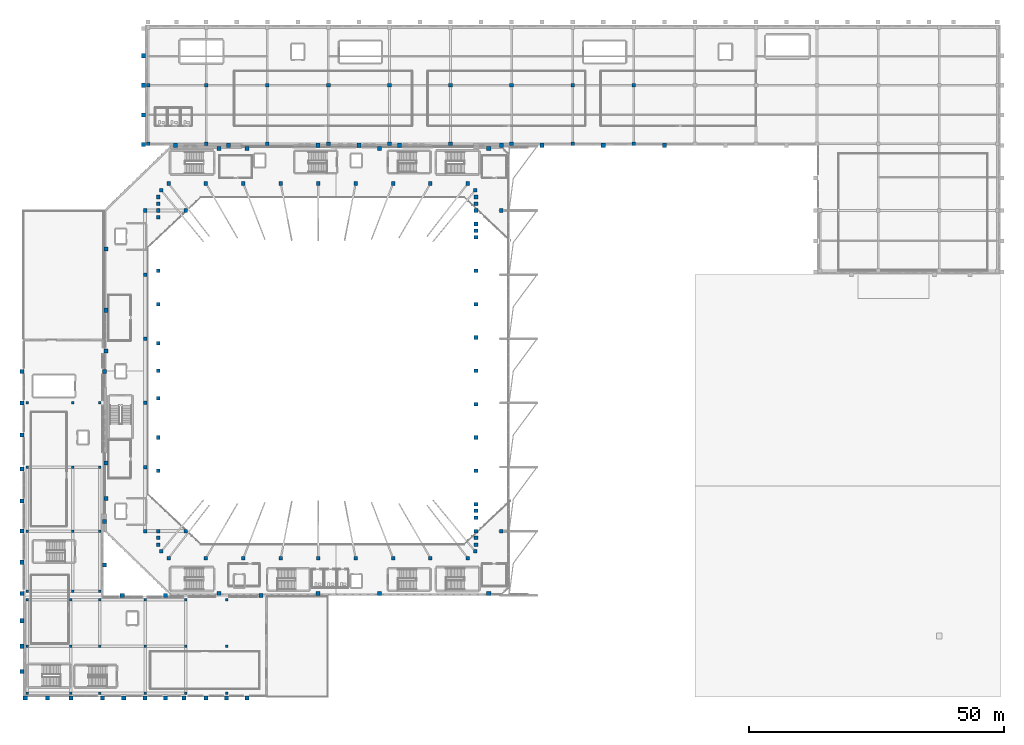
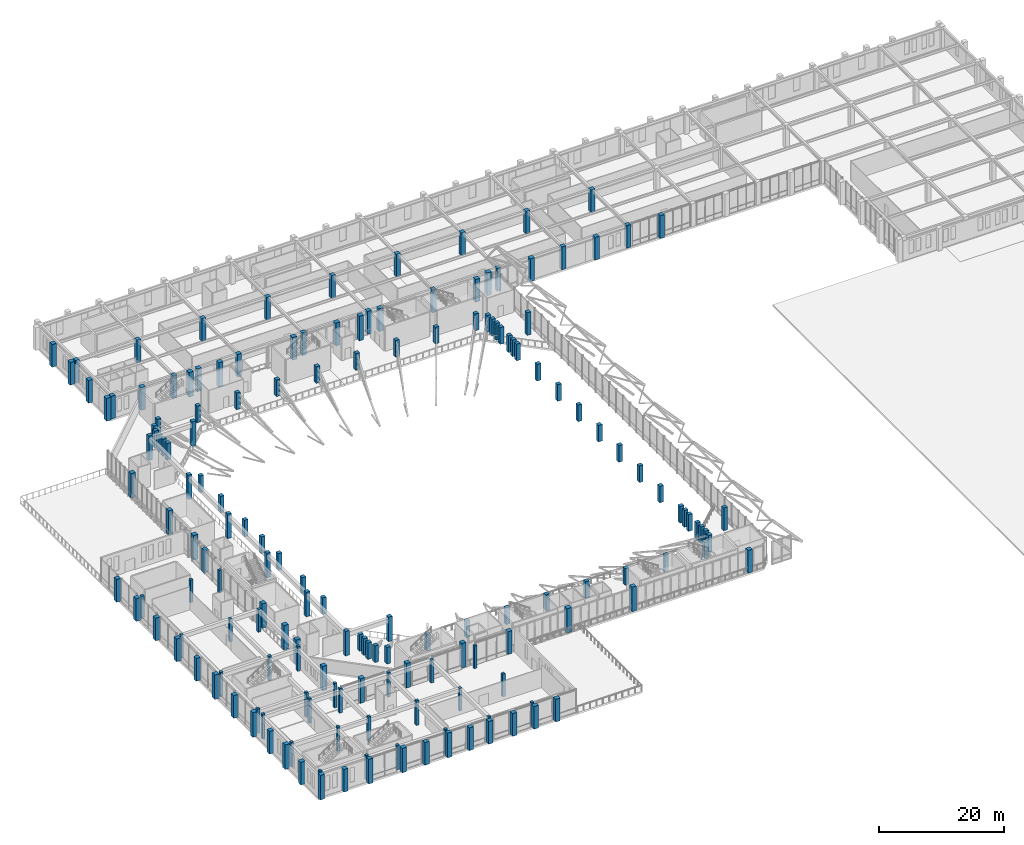
# One storey, part 1 of 79: 167 columns.
"""IFC4 building model written with IfcOpenShell, lengths in metres."""

from ifc_helpers import new_model, si_unit, derived_unit, direction, frame, origin, origin_2d, place, context, subcontext, project, spatial, rectangle, extrude, material, material_profile, profile_set, type_object, element, save


model = new_model("IFC4")

# Units and contexts
model_context = context("Model", 3, precision=1e-05, world=origin(), true_north=direction((0.0, 1.0)))
body_context = subcontext(model_context, "Body", "Model", "MODEL_VIEW")
ifc_project = project(units=[si_unit("LENGTHUNIT", "METRE"), si_unit("AREAUNIT", "SQUARE_METRE"), si_unit("VOLUMEUNIT", "CUBIC_METRE"), si_unit("PLANEANGLEUNIT", "RADIAN"), si_unit("MASSUNIT", "GRAM", prefix="KILO"), derived_unit("THERMALTRANSMITTANCEUNIT", [(si_unit("MASSUNIT", "GRAM", prefix="KILO"), 1), (si_unit("TIMEUNIT", "SECOND"), -3), (si_unit("THERMODYNAMICTEMPERATUREUNIT", "KELVIN"), -1)])], contexts=[model_context])

# Site, building, storey
site_placement = place(None, origin())
site = spatial("IfcSite", under=ifc_project, at=site_placement, CompositionType="ELEMENT")
building_placement = place(site_placement, origin())
building = spatial("IfcBuilding", under=site, at=building_placement, Name="Valcora Ridge Arena", CompositionType="ELEMENT")
storey_placement = place(building_placement, frame((0.0, 0.0, 16.199951171875)))
storey = spatial("IfcBuildingStorey", under=building, at=storey_placement, Name="L03", CompositionType="ELEMENT", Elevation=16.199951171875)

# Columns
ifc_material_1 = material(Name="Bush-hammered Andean travertine architectural concrete C45/55", Category="masonry")
ifc_material_profile_1 = material_profile(ifc_material_1, rectangle(XDim=0.800048828125, YDim=0.800048828125, at=origin_2d()), Name="RC 800x800")
ifc_profile_set_1 = profile_set([ifc_material_profile_1], Name="Bush-hammered Andean travertine architectural concrete C45/55")
column_type_1 = type_object("IfcColumnType", Name="TY-COLUMN-C-BUTT-800", PredefinedType="PILASTER", material=ifc_profile_set_1)
for number, where, z_axis, x_axis, name in (
    (1, (38.5, 20.39990234375, 0.0), (0.0, 0.0, 1.0), (1.0, 0.0, 0.0), "C-BUTT-800 COL-C-BUTT-800-0001"),
    (2, (58.0, 20.39990234375, 0.0), (0.0, 0.0, 1.0), (1.0, 0.0, 0.0), "C-BUTT-800 COL-C-BUTT-800-0003"),
    (3, (70.0, 20.39990234375, 0.0), (0.0, 0.0, 1.0), (1.0, 0.0, 0.0), "C-BUTT-800 COL-C-BUTT-800-0005"),
):
    element("IfcColumn", number, at=place(storey_placement, frame(where, z_axis=z_axis, x_axis=x_axis)), inside=storey, type_object=column_type_1, Name=name, PredefinedType="PILASTER", context=body_context, shape_type="SweptSolid", body=[
        extrude(rectangle(XDim=0.800048828125, YDim=0.800048828125, at=origin_2d()), origin(), (0.0, 0.0, 1.0), 4.800048828125),
    ])
column_1_placement = place(storey_placement, frame((91.5, 20.39990234375, 0.0), z_axis=(0.0, 0.0, 1.0), x_axis=(1.0, 0.0, 0.0)))
element("IfcColumn", 4, at=column_1_placement, inside=storey, type_object=column_type_1, Name="C-BUTT-800 COL-C-BUTT-800-0007", PredefinedType="PILASTER", context=body_context, shape_type="SweptSolid", body=[
    extrude(rectangle(XDim=0.800048828125, YDim=0.800048828125, at=origin_2d()), origin(), (0.0, 0.0, 1.0), 4.43994140625),
])
for number, where, z_axis, x_axis, name in (
    (5, (38.5, 107.800048828125, 0.0), (0.0, 0.0, 1.0), (1.0, 0.0, 0.0), "C-BUTT-800 COL-C-BUTT-800-0008"),
    (6, (44.0, 107.800048828125, 0.0), (0.0, 0.0, 1.0), (1.0, 0.0, 0.0), "C-BUTT-800 COL-C-BUTT-800-0010"),
    (7, (70.0, 107.800048828125, 0.0), (0.0, 0.0, 1.0), (1.0, 0.0, 0.0), "C-BUTT-800 COL-C-BUTT-800-0012"),
):
    element("IfcColumn", number, at=place(storey_placement, frame(where, z_axis=z_axis, x_axis=x_axis)), inside=storey, type_object=column_type_1, Name=name, PredefinedType="PILASTER", context=body_context, shape_type="SweptSolid", body=[
        extrude(rectangle(XDim=0.800048828125, YDim=0.800048828125, at=origin_2d()), origin(), (0.0, 0.0, 1.0), 4.800048828125),
    ])
column_2_placement = place(storey_placement, frame((91.5, 107.800048828125, 0.0), z_axis=(0.0, 0.0, 1.0), x_axis=(1.0, 0.0, 0.0)))
element("IfcColumn", 8, at=column_2_placement, inside=storey, type_object=column_type_1, Name="C-BUTT-800 COL-C-BUTT-800-0014", PredefinedType="PILASTER", context=body_context, shape_type="SweptSolid", body=[
    extrude(rectangle(XDim=0.800048828125, YDim=0.800048828125, at=origin_2d()), origin(), (0.0, 0.0, 1.0), 4.43994140625),
])
for number, where, z_axis, x_axis, name in (
    (9, (16.35009765625, 39.0, 0.0), (0.0, 0.0, 1.0), (1.0, 0.0, 0.0), "C-BUTT-800 COL-C-BUTT-800-0015"),
    (10, (16.35009765625, 46.0, 0.0), (0.0, 0.0, 1.0), (1.0, 0.0, 0.0), "C-BUTT-800 COL-C-BUTT-800-0018"),
    (11, (16.35009765625, 68.0, 0.0), (0.0, 0.0, 1.0), (1.0, 0.0, 0.0), "C-BUTT-800 COL-C-BUTT-800-0021"),
    (12, (16.35009765625, 76.0, 0.0), (0.0, 0.0, 1.0), (1.0, 0.0, 0.0), "C-BUTT-800 COL-C-BUTT-800-0024"),
    (13, (16.35009765625, 88.0, 0.0), (0.0, 0.0, 1.0), (1.0, 0.0, 0.0), "C-BUTT-800 COL-C-BUTT-800-0027"),
    (14, (0.449951171875, -0.179931640625, 0.0), (0.0, 0.0, 1.0), (1.0, 0.0, 0.0), "C-BUTT-800 COL-C-BUTT-800-0030"),
    (15, (9.39990234375, -0.179931640625, 0.0), (0.0, 0.0, 1.0), (1.0, 0.0, 0.0), "C-BUTT-800 COL-C-BUTT-800-0032"),
    (16, (15.60009765625, -0.179931640625, 0.0), (0.0, 0.0, 1.0), (1.0, 0.0, 0.0), "C-BUTT-800 COL-C-BUTT-800-0034"),
    (17, (24.0, -0.179931640625, 0.0), (0.0, 0.0, 1.0), (1.0, 0.0, 0.0), "C-BUTT-800 COL-C-BUTT-800-0036"),
):
    element("IfcColumn", number, at=place(storey_placement, frame(where, z_axis=z_axis, x_axis=x_axis)), inside=storey, type_object=column_type_1, Name=name, PredefinedType="PILASTER", context=body_context, shape_type="SweptSolid", body=[
        extrude(rectangle(XDim=0.800048828125, YDim=0.800048828125, at=origin_2d()), origin(), (0.0, 0.0, 1.0), 4.800048828125),
    ])
for number, where, z_axis, x_axis, name in (
    (18, (31.60009765625, -0.179931640625, 0.0), (0.0, 0.0, 1.0), (1.0, 0.0, 0.0), "C-BUTT-800 COL-C-BUTT-800-0038"),
    (19, (40.0, -0.179931640625, 0.0), (0.0, 0.0, 1.0), (1.0, 0.0, 0.0), "C-BUTT-800 COL-C-BUTT-800-0039"),
):
    element("IfcColumn", number, at=place(storey_placement, frame(where, z_axis=z_axis, x_axis=x_axis)), inside=storey, type_object=column_type_1, Name=name, PredefinedType="PILASTER", context=body_context, shape_type="SweptSolid", body=[
        extrude(rectangle(XDim=0.800048828125, YDim=0.800048828125, at=origin_2d()), origin(), (0.0, 0.0, 1.0), 4.43994140625),
    ])
for number, where, z_axis, x_axis, name in (
    (20, (-0.179931640625, 10.0, 0.0), (0.0, 0.0, 1.0), (1.0, 0.0, 0.0), "C-BUTT-800 COL-C-BUTT-800-0040"),
    (21, (-0.179931640625, 20.39990234375, 0.0), (0.0, 0.0, 1.0), (1.0, 0.0, 0.0), "C-BUTT-800 COL-C-BUTT-800-0042"),
    (22, (-0.179931640625, 32.60009765625, 0.0), (0.0, 0.0, 1.0), (1.0, 0.0, 0.0), "C-BUTT-800 COL-C-BUTT-800-0044"),
):
    element("IfcColumn", number, at=place(storey_placement, frame(where, z_axis=z_axis, x_axis=x_axis)), inside=storey, type_object=column_type_1, Name=name, PredefinedType="PILASTER", context=body_context, shape_type="SweptSolid", body=[
        extrude(rectangle(XDim=0.800048828125, YDim=0.800048828125, at=origin_2d()), origin(), (0.0, 0.0, 1.0), 4.800048828125),
    ])
for number, where, z_axis, x_axis, name in (
    (23, (-0.179931640625, 44.800048828125, 0.0), (0.0, 0.0, 1.0), (1.0, 0.0, 0.0), "C-BUTT-800 COL-C-BUTT-800-0046"),
    (24, (-0.179931640625, 57.800048828125, 0.0), (0.0, 0.0, 1.0), (1.0, 0.0, 0.0), "C-BUTT-800 COL-C-BUTT-800-0047"),
):
    element("IfcColumn", number, at=place(storey_placement, frame(where, z_axis=z_axis, x_axis=x_axis)), inside=storey, type_object=column_type_1, Name=name, PredefinedType="PILASTER", context=body_context, shape_type="SweptSolid", body=[
        extrude(rectangle(XDim=0.800048828125, YDim=0.800048828125, at=origin_2d()), origin(), (0.0, 0.0, 1.0), 4.43994140625),
    ])
for number, where, z_axis, x_axis, name in (
    (25, (19.5, 20.0, 0.0), (0.0, 0.0, 1.0), (1.0, 0.0, 0.0), "C-BUTT-800 COL-C-BUTT-800-0048"),
    (26, (28.0, 20.0, 0.0), (0.0, 0.0, 1.0), (1.0, 0.0, 0.0), "C-BUTT-800 COL-C-BUTT-800-0050"),
):
    element("IfcColumn", number, at=place(storey_placement, frame(where, z_axis=z_axis, x_axis=x_axis)), inside=storey, type_object=column_type_1, Name=name, PredefinedType="PILASTER", context=body_context, shape_type="SweptSolid", body=[
        extrude(rectangle(XDim=0.800048828125, YDim=0.800048828125, at=origin_2d()), origin(), (0.0, 0.0, 1.0), 4.800048828125),
    ])
column_3_placement = place(storey_placement, frame((46.800048828125, 20.0, 0.0), z_axis=(0.0, 0.0, 1.0), x_axis=(1.0, 0.0, 0.0)))
element("IfcColumn", 27, at=column_3_placement, inside=storey, type_object=column_type_1, Name="C-BUTT-800 COL-C-BUTT-800-0052", PredefinedType="PILASTER", context=body_context, shape_type="SweptSolid", body=[
    extrude(rectangle(XDim=0.800048828125, YDim=0.800048828125, at=origin_2d()), origin(), (0.0, 0.0, 1.0), 4.43994140625),
])
for number, where, z_axis, x_axis, name in (
    (28, (16.0, 26.0, 0.0), (0.0, 0.0, 1.0), (1.0, 0.0, 0.0), "C-BUTT-800 COL-C-BUTT-800-0053"),
    (29, (16.0, 34.5, 0.0), (0.0, 0.0, 1.0), (1.0, 0.0, 0.0), "C-BUTT-800 COL-C-BUTT-800-0055"),
):
    element("IfcColumn", number, at=place(storey_placement, frame(where, z_axis=z_axis, x_axis=x_axis)), inside=storey, type_object=column_type_1, Name=name, PredefinedType="PILASTER", context=body_context, shape_type="SweptSolid", body=[
        extrude(rectangle(XDim=0.800048828125, YDim=0.800048828125, at=origin_2d()), origin(), (0.0, 0.0, 1.0), 4.800048828125),
    ])
column_4_placement = place(storey_placement, frame((16.0, 64.0, 0.0), z_axis=(0.0, 0.0, 1.0), x_axis=(1.0, 0.0, 0.0)))
element("IfcColumn", 30, at=column_4_placement, inside=storey, type_object=column_type_1, Name="C-BUTT-800 COL-C-BUTT-800-0057", PredefinedType="PILASTER", context=body_context, shape_type="SweptSolid", body=[
    extrude(rectangle(XDim=0.800048828125, YDim=0.800048828125, at=origin_2d()), origin(), (0.0, 0.0, 1.0), 4.43994140625),
])
for number, where, z_axis, x_axis, name in (
    (31, (23.679931640625, 108.60009765625, 0.0), (0.0, 0.0, 1.0), (1.0, 0.0, 0.0), "C-BUTT-800 COL-C-BUTT-800-0082"),
    (32, (23.679931640625, 114.39990234375, 0.0), (0.0, 0.0, 1.0), (1.0, 0.0, 0.0), "C-BUTT-800 COL-C-BUTT-800-0083"),
    (33, (23.679931640625, 120.199951171875, 0.0), (0.0, 0.0, 1.0), (1.0, 0.0, 0.0), "C-BUTT-800 COL-C-BUTT-800-0084"),
    (34, (23.679931640625, 126.0, 0.0), (0.0, 0.0, 1.0), (1.0, 0.0, 0.0), "C-BUTT-800 COL-C-BUTT-800-0085"),
    (35, (30.0, 108.419921875, 0.0), (0.0, 0.0, 1.0), (1.0, 0.0, 0.0), "C-BUTT-800 COL-C-BUTT-800-0107"),
    (36, (40.39990234375, 108.419921875, 0.0), (0.0, 0.0, 1.0), (1.0, 0.0, 0.0), "C-BUTT-800 COL-C-BUTT-800-0108"),
    (37, (58.0, 108.419921875, 0.0), (0.0, 0.0, 1.0), (1.0, 0.0, 0.0), "C-BUTT-800 COL-C-BUTT-800-0109"),
    (38, (66.0, 108.419921875, 0.0), (0.0, 0.0, 1.0), (1.0, 0.0, 0.0), "C-BUTT-800 COL-C-BUTT-800-0110"),
    (39, (74.0, 108.419921875, 0.0), (0.0, 0.0, 1.0), (1.0, 0.0, 0.0), "C-BUTT-800 COL-C-BUTT-800-0111"),
    (40, (94.0, 108.419921875, 0.0), (0.0, 0.0, 1.0), (1.0, 0.0, 0.0), "C-BUTT-800 COL-C-BUTT-800-0112"),
    (41, (102.0, 108.419921875, 0.0), (0.0, 0.0, 1.0), (1.0, 0.0, 0.0), "C-BUTT-800 COL-C-BUTT-800-0113"),
    (42, (114.0, 108.419921875, 0.0), (0.0, 0.0, 1.0), (1.0, 0.0, 0.0), "C-BUTT-800 COL-C-BUTT-800-0114"),
    (43, (126.0, 108.419921875, 0.0), (0.0, 0.0, 1.0), (1.0, 0.0, 0.0), "C-BUTT-800 COL-C-BUTT-800-0115"),
):
    element("IfcColumn", number, at=place(storey_placement, frame(where, z_axis=z_axis, x_axis=x_axis)), inside=storey, type_object=column_type_1, Name=name, PredefinedType="PILASTER", context=body_context, shape_type="SweptSolid", body=[
        extrude(rectangle(XDim=0.800048828125, YDim=0.800048828125, at=origin_2d()), origin(), (0.0, 0.0, 1.0), 4.4599609375),
    ])
for number, where, z_axis, x_axis, name in (
    (44, (4.800048828125, -0.179931640625, 0.0), (0.0, 0.0, 1.0), (1.0, 0.0, 0.0), "C-BUTT-800 COL-C-BUTT-800-0118"),
    (45, (19.800048828125, -0.179931640625, 0.0), (0.0, 0.0, 1.0), (1.0, 0.0, 0.0), "C-BUTT-800 COL-C-BUTT-800-0119"),
    (46, (28.0, -0.179931640625, 0.0), (0.0, 0.0, 1.0), (1.0, 0.0, 0.0), "C-BUTT-800 COL-C-BUTT-800-0120"),
    (47, (36.0, -0.179931640625, 0.0), (0.0, 0.0, 1.0), (1.0, 0.0, 0.0), "C-BUTT-800 COL-C-BUTT-800-0121"),
    (48, (44.0, -0.179931640625, 0.0), (0.0, 0.0, 1.0), (1.0, 0.0, 0.0), "C-BUTT-800 COL-C-BUTT-800-0122"),
    (49, (-0.179931640625, 5.0, 0.0), (0.0, 0.0, 1.0), (1.0, 0.0, 0.0), "C-BUTT-800 COL-C-BUTT-800-0123"),
    (50, (-0.179931640625, 15.0, 0.0), (0.0, 0.0, 1.0), (1.0, 0.0, 0.0), "C-BUTT-800 COL-C-BUTT-800-0124"),
    (51, (-0.179931640625, 26.5, 0.0), (0.0, 0.0, 1.0), (1.0, 0.0, 0.0), "C-BUTT-800 COL-C-BUTT-800-0125"),
    (52, (-0.179931640625, 38.5, 0.0), (0.0, 0.0, 1.0), (1.0, 0.0, 0.0), "C-BUTT-800 COL-C-BUTT-800-0126"),
    (53, (-0.179931640625, 51.5, 0.0), (0.0, 0.0, 1.0), (1.0, 0.0, 0.0), "C-BUTT-800 COL-C-BUTT-800-0127"),
    (54, (-0.179931640625, 64.0, 0.0), (0.0, 0.0, 1.0), (1.0, 0.0, 0.0), "C-BUTT-800 COL-C-BUTT-800-0128"),
):
    element("IfcColumn", number, at=place(storey_placement, frame(where, z_axis=z_axis, x_axis=x_axis)), inside=storey, type_object=column_type_1, Name=name, PredefinedType="PILASTER", context=body_context, shape_type="SweptSolid", body=[
        extrude(rectangle(XDim=0.800048828125, YDim=0.800048828125, at=origin_2d()), origin(), (0.0, 0.0, 1.0), 4.43994140625),
    ])
ifc_material_2 = material(Name="Concrete C40/50", Category="concrete")
ifc_material_profile_2 = material_profile(ifc_material_2, rectangle(XDim=0.5, YDim=0.5, at=origin_2d()), Name="RC 500x500")
ifc_profile_set_2 = profile_set([ifc_material_profile_2], Name="Concrete C40/50")
column_type_2 = type_object("IfcColumnType", Name="TY-COLUMN-C-RC500", PredefinedType="COLUMN", material=ifc_profile_set_2)
for number, where, z_axis, x_axis, name in (
    (55, (0.800048828125, 0.800048828125, 0.0), (0.0, 0.0, 1.0), (1.0, 0.0, 0.0), "C-RC500 COL-C-RC500-0001"),
    (56, (0.800048828125, 10.0, 0.0), (0.0, 0.0, 1.0), (1.0, 0.0, 0.0), "C-RC500 COL-C-RC500-0003"),
    (57, (0.800048828125, 19.10009765625, 0.0), (0.0, 0.0, 1.0), (1.0, 0.0, 0.0), "C-RC500 COL-C-RC500-0005"),
    (58, (9.39990234375, 0.800048828125, 0.0), (0.0, 0.0, 1.0), (1.0, 0.0, 0.0), "C-RC500 COL-C-RC500-0007"),
    (59, (9.39990234375, 10.0, 0.0), (0.0, 0.0, 1.0), (1.0, 0.0, 0.0), "C-RC500 COL-C-RC500-0009"),
    (60, (9.39990234375, 19.10009765625, 0.0), (0.0, 0.0, 1.0), (1.0, 0.0, 0.0), "C-RC500 COL-C-RC500-0011"),
    (61, (15.10009765625, 0.800048828125, 0.0), (0.0, 0.0, 1.0), (1.0, 0.0, 0.0), "C-RC500 COL-C-RC500-0013"),
    (62, (15.10009765625, 10.0, 0.0), (0.0, 0.0, 1.0), (1.0, 0.0, 0.0), "C-RC500 COL-C-RC500-0015"),
    (63, (15.10009765625, 19.10009765625, 0.0), (0.0, 0.0, 1.0), (1.0, 0.0, 0.0), "C-RC500 COL-C-RC500-0017"),
    (64, (24.0, 0.800048828125, 0.0), (0.0, 0.0, 1.0), (1.0, 0.0, 0.0), "C-RC500 COL-C-RC500-0019"),
    (65, (24.0, 10.0, 0.0), (0.0, 0.0, 1.0), (1.0, 0.0, 0.0), "C-RC500 COL-C-RC500-0021"),
    (66, (24.0, 19.10009765625, 0.0), (0.0, 0.0, 1.0), (1.0, 0.0, 0.0), "C-RC500 COL-C-RC500-0023"),
):
    element("IfcColumn", number, at=place(storey_placement, frame(where, z_axis=z_axis, x_axis=x_axis)), inside=storey, type_object=column_type_2, Name=name, PredefinedType="COLUMN", context=body_context, shape_type="SweptSolid", body=[
        extrude(rectangle(XDim=0.5, YDim=0.5, at=origin_2d()), origin(), (0.0, 0.0, 1.0), 4.800048828125),
    ])
for number, where, z_axis, x_axis, name in (
    (67, (32.0, 0.800048828125, 0.0), (0.0, 0.0, 1.0), (1.0, 0.0, 0.0), "C-RC500 COL-C-RC500-0025"),
    (68, (32.0, 10.0, 0.0), (0.0, 0.0, 1.0), (1.0, 0.0, 0.0), "C-RC500 COL-C-RC500-0026"),
    (69, (32.0, 19.10009765625, 0.0), (0.0, 0.0, 1.0), (1.0, 0.0, 0.0), "C-RC500 COL-C-RC500-0027"),
    (70, (40.0, 0.800048828125, 0.0), (0.0, 0.0, 1.0), (1.0, 0.0, 0.0), "C-RC500 COL-C-RC500-0028"),
    (71, (40.0, 10.0, 0.0), (0.0, 0.0, 1.0), (1.0, 0.0, 0.0), "C-RC500 COL-C-RC500-0029"),
    (72, (40.0, 19.10009765625, 0.0), (0.0, 0.0, 1.0), (1.0, 0.0, 0.0), "C-RC500 COL-C-RC500-0030"),
):
    element("IfcColumn", number, at=place(storey_placement, frame(where, z_axis=z_axis, x_axis=x_axis)), inside=storey, type_object=column_type_2, Name=name, PredefinedType="COLUMN", context=body_context, shape_type="SweptSolid", body=[
        extrude(rectangle(XDim=0.5, YDim=0.5, at=origin_2d()), origin(), (0.0, 0.0, 1.0), 4.43994140625),
    ])
for number, where, z_axis, x_axis, name in (
    (73, (0.800048828125, 20.800048828125, 0.0), (0.0, 0.0, 1.0), (1.0, 0.0, 0.0), "C-RC500 COL-C-RC500-0031"),
    (74, (0.800048828125, 32.60009765625, 0.0), (0.0, 0.0, 1.0), (1.0, 0.0, 0.0), "C-RC500 COL-C-RC500-0033"),
):
    element("IfcColumn", number, at=place(storey_placement, frame(where, z_axis=z_axis, x_axis=x_axis)), inside=storey, type_object=column_type_2, Name=name, PredefinedType="COLUMN", context=body_context, shape_type="SweptSolid", body=[
        extrude(rectangle(XDim=0.5, YDim=0.5, at=origin_2d()), origin(), (0.0, 0.0, 1.0), 4.800048828125),
    ])
for number, where, z_axis, x_axis, name in (
    (75, (0.800048828125, 45.199951171875, 0.0), (0.0, 0.0, 1.0), (1.0, 0.0, 0.0), "C-RC500 COL-C-RC500-0035"),
    (76, (0.800048828125, 57.800048828125, 0.0), (0.0, 0.0, 1.0), (1.0, 0.0, 0.0), "C-RC500 COL-C-RC500-0036"),
):
    element("IfcColumn", number, at=place(storey_placement, frame(where, z_axis=z_axis, x_axis=x_axis)), inside=storey, type_object=column_type_2, Name=name, PredefinedType="COLUMN", context=body_context, shape_type="SweptSolid", body=[
        extrude(rectangle(XDim=0.5, YDim=0.5, at=origin_2d()), origin(), (0.0, 0.0, 1.0), 4.43994140625),
    ])
for number, where, z_axis, x_axis, name in (
    (77, (9.800048828125, 20.800048828125, 0.0), (0.0, 0.0, 1.0), (1.0, 0.0, 0.0), "C-RC500 COL-C-RC500-0037"),
    (78, (9.800048828125, 32.60009765625, 0.0), (0.0, 0.0, 1.0), (1.0, 0.0, 0.0), "C-RC500 COL-C-RC500-0039"),
):
    element("IfcColumn", number, at=place(storey_placement, frame(where, z_axis=z_axis, x_axis=x_axis)), inside=storey, type_object=column_type_2, Name=name, PredefinedType="COLUMN", context=body_context, shape_type="SweptSolid", body=[
        extrude(rectangle(XDim=0.5, YDim=0.5, at=origin_2d()), origin(), (0.0, 0.0, 1.0), 4.800048828125),
    ])
for number, where, z_axis, x_axis, name in (
    (79, (9.800048828125, 45.199951171875, 0.0), (0.0, 0.0, 1.0), (1.0, 0.0, 0.0), "C-RC500 COL-C-RC500-0041"),
    (80, (9.800048828125, 57.800048828125, 0.0), (0.0, 0.0, 1.0), (1.0, 0.0, 0.0), "C-RC500 COL-C-RC500-0042"),
):
    element("IfcColumn", number, at=place(storey_placement, frame(where, z_axis=z_axis, x_axis=x_axis)), inside=storey, type_object=column_type_2, Name=name, PredefinedType="COLUMN", context=body_context, shape_type="SweptSolid", body=[
        extrude(rectangle(XDim=0.5, YDim=0.5, at=origin_2d()), origin(), (0.0, 0.0, 1.0), 4.43994140625),
    ])
for number, where, z_axis, x_axis, name in (
    (81, (15.10009765625, 20.800048828125, 0.0), (0.0, 0.0, 1.0), (1.0, 0.0, 0.0), "C-RC500 COL-C-RC500-0043"),
    (82, (15.10009765625, 32.60009765625, 0.0), (0.0, 0.0, 1.0), (1.0, 0.0, 0.0), "C-RC500 COL-C-RC500-0045"),
):
    element("IfcColumn", number, at=place(storey_placement, frame(where, z_axis=z_axis, x_axis=x_axis)), inside=storey, type_object=column_type_2, Name=name, PredefinedType="COLUMN", context=body_context, shape_type="SweptSolid", body=[
        extrude(rectangle(XDim=0.5, YDim=0.5, at=origin_2d()), origin(), (0.0, 0.0, 1.0), 4.800048828125),
    ])
for number, where, z_axis, x_axis, name in (
    (83, (15.10009765625, 45.199951171875, 0.0), (0.0, 0.0, 1.0), (1.0, 0.0, 0.0), "C-RC500 COL-C-RC500-0047"),
    (84, (15.10009765625, 57.800048828125, 0.0), (0.0, 0.0, 1.0), (1.0, 0.0, 0.0), "C-RC500 COL-C-RC500-0048"),
):
    element("IfcColumn", number, at=place(storey_placement, frame(where, z_axis=z_axis, x_axis=x_axis)), inside=storey, type_object=column_type_2, Name=name, PredefinedType="COLUMN", context=body_context, shape_type="SweptSolid", body=[
        extrude(rectangle(XDim=0.5, YDim=0.5, at=origin_2d()), origin(), (0.0, 0.0, 1.0), 4.43994140625),
    ])
ifc_material_profile_3 = material_profile(ifc_material_2, rectangle(XDim=0.699951171875, YDim=0.699951171875, at=origin_2d()), Name="RC 700x700")
ifc_profile_set_3 = profile_set([ifc_material_profile_3], Name="Concrete C40/50")
column_type_3 = type_object("IfcColumnType", Name="TY-COLUMN-C-RC700", PredefinedType="COLUMN", material=ifc_profile_set_3)
for number, where, z_axis, x_axis, name in (
    (85, (24.0, 32.60009765625, 0.0), (0.0, 0.0, 1.0), (1.0, 0.0, 0.0), "C-RC700 COL-C-RC700-0001"),
    (86, (24.0, 45.199951171875, 0.0), (0.0, 0.0, 1.0), (1.0, 0.0, 0.0), "C-RC700 COL-C-RC700-0003"),
    (87, (24.0, 57.800048828125, 0.0), (0.0, 0.0, 1.0), (1.0, 0.0, 0.0), "C-RC700 COL-C-RC700-0005"),
    (88, (24.0, 70.39990234375, 0.0), (0.0, 0.0, 1.0), (1.0, 0.0, 0.0), "C-RC700 COL-C-RC700-0007"),
    (89, (24.0, 83.0, 0.0), (0.0, 0.0, 1.0), (1.0, 0.0, 0.0), "C-RC700 COL-C-RC700-0009"),
    (90, (24.0, 95.60009765625, 0.0), (0.0, 0.0, 1.0), (1.0, 0.0, 0.0), "C-RC700 COL-C-RC700-0011"),
    (91, (32.0, 32.60009765625, 0.0), (0.0, 0.0, 1.0), (1.0, 0.0, 0.0), "C-RC700 COL-C-RC700-0013"),
    (92, (32.0, 95.60009765625, 0.0), (0.0, 0.0, 1.0), (1.0, 0.0, 0.0), "C-RC700 COL-C-RC700-0016"),
):
    element("IfcColumn", number, at=place(storey_placement, frame(where, z_axis=z_axis, x_axis=x_axis)), inside=storey, type_object=column_type_3, Name=name, PredefinedType="COLUMN", context=body_context, shape_type="SweptSolid", body=[
        extrude(rectangle(XDim=0.699951171875, YDim=0.699951171875, at=origin_2d()), origin(), (0.0, 0.0, 1.0), 4.800048828125),
    ])
for number, where, z_axis, x_axis, name in (
    (93, (94.0, 32.60009765625, 0.0), (0.0, 0.0, 1.0), (1.0, 0.0, 0.0), "C-RC700 COL-C-RC700-0027"),
    (94, (94.0, 95.60009765625, 0.0), (0.0, 0.0, 1.0), (1.0, 0.0, 0.0), "C-RC700 COL-C-RC700-0028"),
):
    element("IfcColumn", number, at=place(storey_placement, frame(where, z_axis=z_axis, x_axis=x_axis)), inside=storey, type_object=column_type_3, Name=name, PredefinedType="COLUMN", context=body_context, shape_type="SweptSolid", body=[
        extrude(rectangle(XDim=0.699951171875, YDim=0.699951171875, at=origin_2d()), origin(), (0.0, 0.0, 1.0), 4.43994140625),
    ])
ifc_material_profile_4 = material_profile(ifc_material_2, rectangle(XDim=0.75, YDim=0.75, at=origin_2d()), Name="RC 750x750")
ifc_profile_set_4 = profile_set([ifc_material_profile_4], Name="Concrete C40/50")
column_type_4 = type_object("IfcColumnType", Name="TY-COLUMN-C-RC750", PredefinedType="COLUMN", material=ifc_profile_set_4)
for number, where, z_axis, x_axis, name in (
    (95, (24.60009765625, 108.699951171875, 0.0), (0.0, 0.0, 1.0), (1.0, 0.0, 0.0), "C-RC750 COL-C-RC750-0002"),
    (96, (24.60009765625, 120.199951171875, 0.0), (0.0, 0.0, 1.0), (1.0, 0.0, 0.0), "C-RC750 COL-C-RC750-0004"),
    (97, (36.0, 108.699951171875, 0.0), (0.0, 0.0, 1.0), (1.0, 0.0, 0.0), "C-RC750 COL-C-RC750-0008"),
    (98, (36.0, 120.199951171875, 0.0), (0.0, 0.0, 1.0), (1.0, 0.0, 0.0), "C-RC750 COL-C-RC750-0010"),
    (99, (48.0, 108.699951171875, 0.0), (0.0, 0.0, 1.0), (1.0, 0.0, 0.0), "C-RC750 COL-C-RC750-0014"),
    (100, (48.0, 120.199951171875, 0.0), (0.0, 0.0, 1.0), (1.0, 0.0, 0.0), "C-RC750 COL-C-RC750-0016"),
    (101, (60.0, 108.699951171875, 0.0), (0.0, 0.0, 1.0), (1.0, 0.0, 0.0), "C-RC750 COL-C-RC750-0020"),
    (102, (60.0, 120.199951171875, 0.0), (0.0, 0.0, 1.0), (1.0, 0.0, 0.0), "C-RC750 COL-C-RC750-0022"),
    (103, (72.0, 108.699951171875, 0.0), (0.0, 0.0, 1.0), (1.0, 0.0, 0.0), "C-RC750 COL-C-RC750-0026"),
    (104, (72.0, 120.199951171875, 0.0), (0.0, 0.0, 1.0), (1.0, 0.0, 0.0), "C-RC750 COL-C-RC750-0028"),
    (105, (84.0, 108.699951171875, 0.0), (0.0, 0.0, 1.0), (1.0, 0.0, 0.0), "C-RC750 COL-C-RC750-0032"),
    (106, (84.0, 120.199951171875, 0.0), (0.0, 0.0, 1.0), (1.0, 0.0, 0.0), "C-RC750 COL-C-RC750-0034"),
    (107, (96.0, 108.699951171875, 0.0), (0.0, 0.0, 1.0), (1.0, 0.0, 0.0), "C-RC750 COL-C-RC750-0038"),
    (108, (96.0, 120.199951171875, 0.0), (0.0, 0.0, 1.0), (1.0, 0.0, 0.0), "C-RC750 COL-C-RC750-0040"),
    (109, (108.0, 108.699951171875, 0.0), (0.0, 0.0, 1.0), (1.0, 0.0, 0.0), "C-RC750 COL-C-RC750-0044"),
    (110, (108.0, 120.199951171875, 0.0), (0.0, 0.0, 1.0), (1.0, 0.0, 0.0), "C-RC750 COL-C-RC750-0046"),
    (111, (120.0, 108.699951171875, 0.0), (0.0, 0.0, 1.0), (1.0, 0.0, 0.0), "C-RC750 COL-C-RC750-0050"),
    (112, (120.0, 120.199951171875, 0.0), (0.0, 0.0, 1.0), (1.0, 0.0, 0.0), "C-RC750 COL-C-RC750-0052"),
):
    element("IfcColumn", number, at=place(storey_placement, frame(where, z_axis=z_axis, x_axis=x_axis)), inside=storey, type_object=column_type_4, Name=name, PredefinedType="COLUMN", context=body_context, shape_type="SweptSolid", body=[
        extrude(rectangle(XDim=0.75, YDim=0.75, at=origin_2d()), origin(), (0.0, 0.0, 1.0), 4.4599609375),
    ])
ifc_material_profile_5 = material_profile(ifc_material_2, rectangle(XDim=0.699951171875, YDim=0.699951171875, at=origin_2d()), Name="RC 700x700")
ifc_profile_set_5 = profile_set([ifc_material_profile_5], Name="Concrete C40/50")
column_type_5 = type_object("IfcColumnType", Name="TY-COLUMN-C-RKRU700B", PredefinedType="COLUMN", material=ifc_profile_set_5)
for number, where, z_axis, x_axis, name in (
    (113, (28.60009765625, 27.300048828125, 0.0), (0.0, 0.0, 1.0), (1.0, 0.0, 0.0), "C-RKRU700B COL-RK-C-RKRU700B-0005"),
    (114, (35.949951171875, 27.300048828125, 0.0), (0.0, 0.0, 1.0), (1.0, 0.0, 0.0), "C-RKRU700B COL-RK-C-RKRU700B-0010"),
    (115, (43.300048828125, 27.300048828125, 0.0), (0.0, 0.0, 1.0), (1.0, 0.0, 0.0), "C-RKRU700B COL-RK-C-RKRU700B-0015"),
    (116, (50.64990234375, 27.300048828125, 0.0), (0.0, 0.0, 1.0), (1.0, 0.0, 0.0), "C-RKRU700B COL-RK-C-RKRU700B-0020"),
    (117, (58.0, 27.300048828125, 0.0), (0.0, 0.0, 1.0), (1.0, 0.0, 0.0), "C-RKRU700B COL-RK-C-RKRU700B-0025"),
    (118, (65.35009765625, 27.300048828125, 0.0), (0.0, 0.0, 1.0), (1.0, 0.0, 0.0), "C-RKRU700B COL-RK-C-RKRU700B-0030"),
    (119, (72.699951171875, 27.300048828125, 0.0), (0.0, 0.0, 1.0), (1.0, 0.0, 0.0), "C-RKRU700B COL-RK-C-RKRU700B-0035"),
    (120, (80.050048828125, 27.300048828125, 0.0), (0.0, 0.0, 1.0), (1.0, 0.0, 0.0), "C-RKRU700B COL-RK-C-RKRU700B-0040"),
    (121, (87.39990234375, 27.300048828125, 0.0), (0.0, 0.0, 1.0), (1.0, 0.0, 0.0), "C-RKRU700B COL-RK-C-RKRU700B-0045"),
    (122, (88.85009765625, 28.625, 0.0), (0.0, 0.0, 1.0), (1.0, 0.0, 0.0), "C-RKRU700B COL-RK-C-RKRU700B-0050"),
    (123, (89.0, 29.949951171875, 0.0), (0.0, 0.0, 1.0), (1.0, 0.0, 0.0), "C-RKRU700B COL-RK-C-RKRU700B-0055"),
    (124, (89.0, 31.27490234375, 0.0), (0.0, 0.0, 1.0), (1.0, 0.0, 0.0), "C-RKRU700B COL-RK-C-RKRU700B-0060"),
    (125, (89.0, 32.60009765625, 0.0), (0.0, 0.0, 1.0), (1.0, 0.0, 0.0), "C-RKRU700B COL-RK-C-RKRU700B-0065"),
    (126, (89.0, 35.25, 0.0), (0.0, 0.0, 1.0), (1.0, 0.0, 0.0), "C-RKRU700B COL-RK-C-RKRU700B-0070"),
    (127, (89.0, 36.574951171875, 0.0), (0.0, 0.0, 1.0), (1.0, 0.0, 0.0), "C-RKRU700B COL-RK-C-RKRU700B-0075"),
    (128, (89.0, 37.89990234375, 0.0), (0.0, 0.0, 1.0), (1.0, 0.0, 0.0), "C-RKRU700B COL-RK-C-RKRU700B-0080"),
    (129, (89.0, 44.449951171875, 0.0), (0.0, 0.0, 1.0), (1.0, 0.0, 0.0), "C-RKRU700B COL-RK-C-RKRU700B-0085"),
    (130, (89.0, 51.0, 0.0), (0.0, 0.0, 1.0), (1.0, 0.0, 0.0), "C-RKRU700B COL-RK-C-RKRU700B-0090"),
    (131, (89.0, 57.550048828125, 0.0), (0.0, 0.0, 1.0), (1.0, 0.0, 0.0), "C-RKRU700B COL-RK-C-RKRU700B-0095"),
    (132, (89.0, 64.10009765625, 0.0), (0.0, 0.0, 1.0), (1.0, 0.0, 0.0), "C-RKRU700B COL-RK-C-RKRU700B-0100"),
    (133, (89.0, 70.64990234375, 0.0), (0.0, 0.0, 1.0), (1.0, 0.0, 0.0), "C-RKRU700B COL-RK-C-RKRU700B-0105"),
    (134, (89.0, 77.199951171875, 0.0), (0.0, 0.0, 1.0), (1.0, 0.0, 0.0), "C-RKRU700B COL-RK-C-RKRU700B-0110"),
    (135, (89.0, 83.75, 0.0), (0.0, 0.0, 1.0), (1.0, 0.0, 0.0), "C-RKRU700B COL-RK-C-RKRU700B-0115"),
    (136, (89.0, 90.300048828125, 0.0), (0.0, 0.0, 1.0), (1.0, 0.0, 0.0), "C-RKRU700B COL-RK-C-RKRU700B-0120"),
    (137, (89.0, 91.625, 0.0), (0.0, 0.0, 1.0), (1.0, 0.0, 0.0), "C-RKRU700B COL-RK-C-RKRU700B-0125"),
    (138, (89.0, 92.949951171875, 0.0), (0.0, 0.0, 1.0), (1.0, 0.0, 0.0), "C-RKRU700B COL-RK-C-RKRU700B-0130"),
    (139, (89.0, 95.60009765625, 0.0), (0.0, 0.0, 1.0), (1.0, 0.0, 0.0), "C-RKRU700B COL-RK-C-RKRU700B-0135"),
    (140, (89.0, 96.925048828125, 0.0), (0.0, 0.0, 1.0), (1.0, 0.0, 0.0), "C-RKRU700B COL-RK-C-RKRU700B-0140"),
    (141, (89.0, 98.25, 0.0), (0.0, 0.0, 1.0), (1.0, 0.0, 0.0), "C-RKRU700B COL-RK-C-RKRU700B-0145"),
    (142, (88.85009765625, 99.574951171875, 0.0), (0.0, 0.0, 1.0), (1.0, 0.0, 0.0), "C-RKRU700B COL-RK-C-RKRU700B-0150"),
    (143, (87.39990234375, 100.89990234375, 0.0), (0.0, 0.0, 1.0), (1.0, 0.0, 0.0), "C-RKRU700B COL-RK-C-RKRU700B-0155"),
    (144, (80.050048828125, 100.89990234375, 0.0), (0.0, 0.0, 1.0), (1.0, 0.0, 0.0), "C-RKRU700B COL-RK-C-RKRU700B-0160"),
    (145, (72.699951171875, 100.89990234375, 0.0), (0.0, 0.0, 1.0), (1.0, 0.0, 0.0), "C-RKRU700B COL-RK-C-RKRU700B-0165"),
    (146, (65.35009765625, 100.89990234375, 0.0), (0.0, 0.0, 1.0), (1.0, 0.0, 0.0), "C-RKRU700B COL-RK-C-RKRU700B-0170"),
    (147, (58.0, 100.89990234375, 0.0), (0.0, 0.0, 1.0), (1.0, 0.0, 0.0), "C-RKRU700B COL-RK-C-RKRU700B-0175"),
    (148, (50.64990234375, 100.89990234375, 0.0), (0.0, 0.0, 1.0), (1.0, 0.0, 0.0), "C-RKRU700B COL-RK-C-RKRU700B-0180"),
    (149, (43.300048828125, 100.89990234375, 0.0), (0.0, 0.0, 1.0), (1.0, 0.0, 0.0), "C-RKRU700B COL-RK-C-RKRU700B-0185"),
    (150, (35.949951171875, 100.89990234375, 0.0), (0.0, 0.0, 1.0), (1.0, 0.0, 0.0), "C-RKRU700B COL-RK-C-RKRU700B-0190"),
    (151, (28.60009765625, 100.89990234375, 0.0), (0.0, 0.0, 1.0), (1.0, 0.0, 0.0), "C-RKRU700B COL-RK-C-RKRU700B-0195"),
    (152, (27.14990234375, 99.574951171875, 0.0), (0.0, 0.0, 1.0), (1.0, 0.0, 0.0), "C-RKRU700B COL-RK-C-RKRU700B-0200"),
    (153, (26.60009765625, 98.25, 0.0), (0.0, 0.0, 1.0), (1.0, 0.0, 0.0), "C-RKRU700B COL-RK-C-RKRU700B-0205"),
    (154, (26.60009765625, 96.925048828125, 0.0), (0.0, 0.0, 1.0), (1.0, 0.0, 0.0), "C-RKRU700B COL-RK-C-RKRU700B-0210"),
    (155, (26.60009765625, 95.60009765625, 0.0), (0.0, 0.0, 1.0), (1.0, 0.0, 0.0), "C-RKRU700B COL-RK-C-RKRU700B-0215"),
    (156, (26.60009765625, 94.27490234375, 0.0), (0.0, 0.0, 1.0), (1.0, 0.0, 0.0), "C-RKRU700B COL-RK-C-RKRU700B-0220"),
    (157, (26.60009765625, 83.75, 0.0), (0.0, 0.0, 1.0), (1.0, 0.0, 0.0), "C-RKRU700B COL-RK-C-RKRU700B-0225"),
    (158, (26.60009765625, 77.199951171875, 0.0), (0.0, 0.0, 1.0), (1.0, 0.0, 0.0), "C-RKRU700B COL-RK-C-RKRU700B-0230"),
    (159, (26.60009765625, 64.10009765625, 0.0), (0.0, 0.0, 1.0), (1.0, 0.0, 0.0), "C-RKRU700B COL-RK-C-RKRU700B-0235"),
    (160, (26.60009765625, 51.0, 0.0), (0.0, 0.0, 1.0), (1.0, 0.0, 0.0), "C-RKRU700B COL-RK-C-RKRU700B-0240"),
    (161, (26.60009765625, 44.449951171875, 0.0), (0.0, 0.0, 1.0), (1.0, 0.0, 0.0), "C-RKRU700B COL-RK-C-RKRU700B-0245"),
    (162, (26.60009765625, 32.60009765625, 0.0), (0.0, 0.0, 1.0), (1.0, 0.0, 0.0), "C-RKRU700B COL-RK-C-RKRU700B-0250"),
    (163, (26.60009765625, 31.27490234375, 0.0), (0.0, 0.0, 1.0), (1.0, 0.0, 0.0), "C-RKRU700B COL-RK-C-RKRU700B-0255"),
    (164, (26.60009765625, 29.949951171875, 0.0), (0.0, 0.0, 1.0), (1.0, 0.0, 0.0), "C-RKRU700B COL-RK-C-RKRU700B-0260"),
    (165, (27.14990234375, 28.625, 0.0), (0.0, 0.0, 1.0), (1.0, 0.0, 0.0), "C-RKRU700B COL-RK-C-RKRU700B-0265"),
    (166, (26.60009765625, 69.489990234375, 0.0), (0.0, 0.0, 1.0), (1.0, 0.0, 0.0), "C-RKRU700B COL-RKN-C-RKRU700B-0005"),
    (167, (26.60009765625, 58.7099609375, 0.0), (0.0, 0.0, 1.0), (1.0, 0.0, 0.0), "C-RKRU700B COL-RKN-C-RKRU700B-0010"),
):
    element("IfcColumn", number, at=place(storey_placement, frame(where, z_axis=z_axis, x_axis=x_axis)), inside=storey, type_object=column_type_5, Name=name, PredefinedType="COLUMN", context=body_context, shape_type="SweptSolid", body=[
        extrude(rectangle(XDim=0.699951171875, YDim=0.699951171875, at=origin_2d()), origin(), (0.0, 0.0, 1.0), 3.25),
    ])

save(model, "model.ifc")
